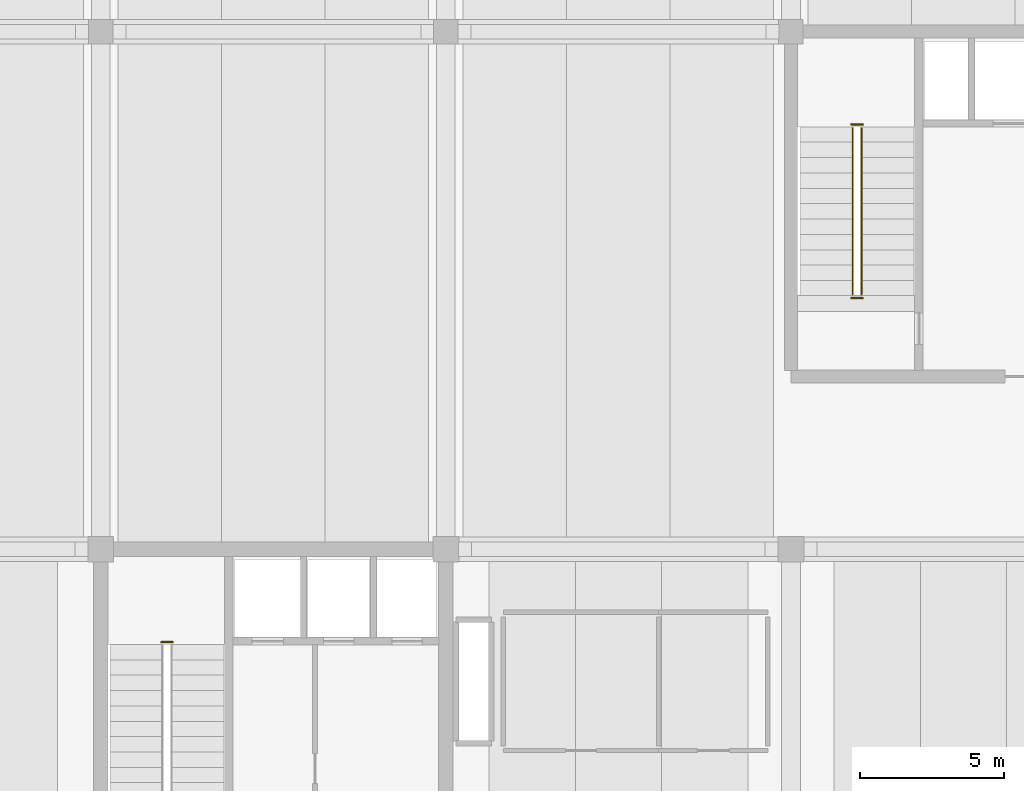
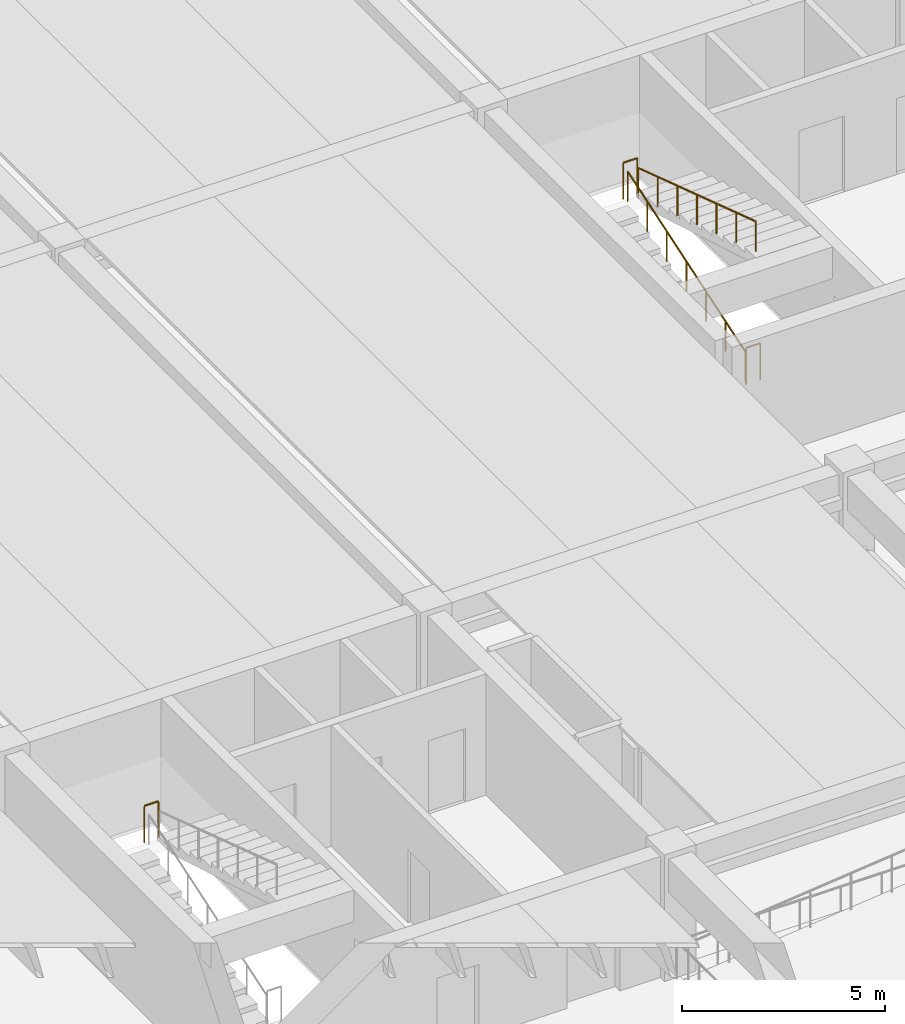
# One storey, part 18 of 19: 5 railings.
"""IFC4 building model written with IfcOpenShell, lengths in metres."""

from ifc_helpers import new_model, si_unit, direction, frame, origin, origin_2d, place, context, subcontext, project, spatial, circle, extrude, material, layer, layer_set, type_object, element, save


model = new_model("IFC4")

# Units and contexts
model_context = context("Model", 3, precision=1e-05, world=origin(), true_north=direction((0.0, 1.0)))
body_context = subcontext(model_context, "Body", "Model", "MODEL_VIEW")
ifc_project = project(units=[si_unit("LENGTHUNIT", "METRE"), si_unit("AREAUNIT", "SQUARE_METRE"), si_unit("VOLUMEUNIT", "CUBIC_METRE"), si_unit("PLANEANGLEUNIT", "RADIAN"), si_unit("MASSUNIT", "GRAM", prefix="KILO")], contexts=[model_context])

# Site, building, storey
site_placement = place(None, origin())
site = spatial("IfcSite", under=ifc_project, at=site_placement, CompositionType="ELEMENT")
building_placement = place(site_placement, origin())
building = spatial("IfcBuilding", under=site, at=building_placement, Name="Girod Span Mobility Hub", CompositionType="ELEMENT")
storey_placement = place(building_placement, frame((0.0, 0.0, 9.60009765625)))
storey = spatial("IfcBuildingStorey", under=building, at=storey_placement, Name="L02", CompositionType="ELEMENT", Elevation=9.60009765625)

# Railings
ifc_material_1 = material(Name="Painted Galvanised Steel", Category="steel")
ifc_layer_1 = layer(ifc_material_1, 0.06494140625)
ifc_layer_set_1 = layer_set([ifc_layer_1], Name="Painted Galvanised Steel")
railing_type_1 = type_object("IfcRailingType", Name="RL-GRD-1120", PredefinedType="GUARDRAIL", material=ifc_layer_set_1)
for number, where, name in (
    (1, (50.10009765625, 65.77001953125, 1.89990234375), "Stair ST-1 Half-Landing Well Guard L02"),
    (2, (74.10009765625, 83.77001953125, 1.89990234375), "Stair ST-4 Half-Landing Well Guard L02"),
    (3, (74.10009765625, 77.72998046875, 0.0), "Stair ST-4 Landing Well Guard L02"),
):
    element("IfcRailing", number, at=place(storey_placement, frame(where)), inside=storey, type_object=railing_type_1, Name=name, PredefinedType="GUARDRAIL", context=body_context, shape_type="SweptSolid", body=[
        extrude(circle(Radius=0.02392578125, at=origin_2d()), frame((0.0, 0.0, 1.09619140625), z_axis=(1.0, 0.0, 0.0), x_axis=(0.0, 1.0, 0.0)), (0.0, 0.0, 1.0), 0.39990234375),
        extrude(circle(Radius=0.02099609375, at=origin_2d()), origin(), (0.0, 0.0, 1.0), 1.072021484375),
        extrude(circle(Radius=0.02099609375, at=origin_2d()), frame((0.39990234375, 0.0, 0.0)), (0.0, 0.0, 1.0), 1.072021484375),
    ])
ifc_material_2 = material(Name="Painted Galvanised Steel", Category="steel")
ifc_layer_2 = layer(ifc_material_2, 0.050048828125)
ifc_layer_set_2 = layer_set([ifc_layer_2], Name="Painted Galvanised Steel")
railing_type_2 = type_object("IfcRailingType", Name="RL-HR-920", PredefinedType="HANDRAIL", material=ifc_layer_set_2)
railing_1_placement = place(storey_placement, frame((74.14990234375, 77.860107421875, 0.0)))
element("IfcRailing", 4, at=railing_1_placement, inside=storey, type_object=railing_type_2, Name="Stair ST-4 Flight 1 Handrail L02", PredefinedType="HANDRAIL", context=body_context, shape_type="SweptSolid", body=[
    extrude(circle(Radius=0.02392578125, at=origin_2d()), frame((0.0, 0.0, 0.89599609375), z_axis=(0.0, 0.949991280403, 0.312276427477), x_axis=(-1.0, 0.0, 0.0)), (0.0, 0.0, 1.0), 6.083984375),
    extrude(circle(Radius=0.02099609375, at=origin_2d()), origin(), (0.0, 0.0, 1.0), 0.871826171875),
    extrude(circle(Radius=0.02099609375, at=origin_2d()), frame((0.0, 0.96337890625, 0.316650390625)), (0.0, 0.0, 1.0), 0.871826171875),
    extrude(circle(Radius=0.02099609375, at=origin_2d()), frame((0.0, 1.926513671875, 0.63330078125)), (0.0, 0.0, 1.0), 0.871826171875),
    extrude(circle(Radius=0.02099609375, at=origin_2d()), frame((0.0, 2.889892578125, 0.949951171875)), (0.0, 0.0, 1.0), 0.871826171875),
    extrude(circle(Radius=0.02099609375, at=origin_2d()), frame((0.0, 3.853271484375, 1.2666015625)), (0.0, 0.0, 1.0), 0.871826171875),
    extrude(circle(Radius=0.02099609375, at=origin_2d()), frame((0.0, 4.81640625, 1.583251953125)), (0.0, 0.0, 1.0), 0.871826171875),
    extrude(circle(Radius=0.02099609375, at=origin_2d()), frame((0.0, 5.77978515625, 1.89990234375)), (0.0, 0.0, 1.0), 0.871826171875),
])
railing_2_placement = place(storey_placement, frame((74.449951171875, 83.639892578125, 1.89990234375)))
element("IfcRailing", 5, at=railing_2_placement, inside=storey, type_object=railing_type_2, Name="Stair ST-4 Flight 2 Handrail L02", PredefinedType="HANDRAIL", context=body_context, shape_type="SweptSolid", body=[
    extrude(circle(Radius=0.02392578125, at=origin_2d()), frame((0.0, 0.0, 0.89599609375), z_axis=(0.0, -0.949991280403, 0.312276427477), x_axis=(1.0, 0.0, 0.0)), (0.0, 0.0, 1.0), 6.083984375),
    extrude(circle(Radius=0.02099609375, at=origin_2d()), origin(), (0.0, 0.0, 1.0), 0.871826171875),
    extrude(circle(Radius=0.02099609375, at=origin_2d()), frame((0.0, -0.96337890625, 0.316650390625)), (0.0, 0.0, 1.0), 0.871826171875),
    extrude(circle(Radius=0.02099609375, at=origin_2d()), frame((0.0, -1.926513671875, 0.63330078125)), (0.0, 0.0, 1.0), 0.871826171875),
    extrude(circle(Radius=0.02099609375, at=origin_2d()), frame((0.0, -2.889892578125, 0.949951171875)), (0.0, 0.0, 1.0), 0.871826171875),
    extrude(circle(Radius=0.02099609375, at=origin_2d()), frame((0.0, -3.853271484375, 1.2666015625)), (0.0, 0.0, 1.0), 0.871826171875),
    extrude(circle(Radius=0.02099609375, at=origin_2d()), frame((0.0, -4.81640625, 1.583251953125)), (0.0, 0.0, 1.0), 0.871826171875),
    extrude(circle(Radius=0.02099609375, at=origin_2d()), frame((0.0, -5.77978515625, 1.89990234375)), (0.0, 0.0, 1.0), 0.871826171875),
])

save(model, "model.ifc")
